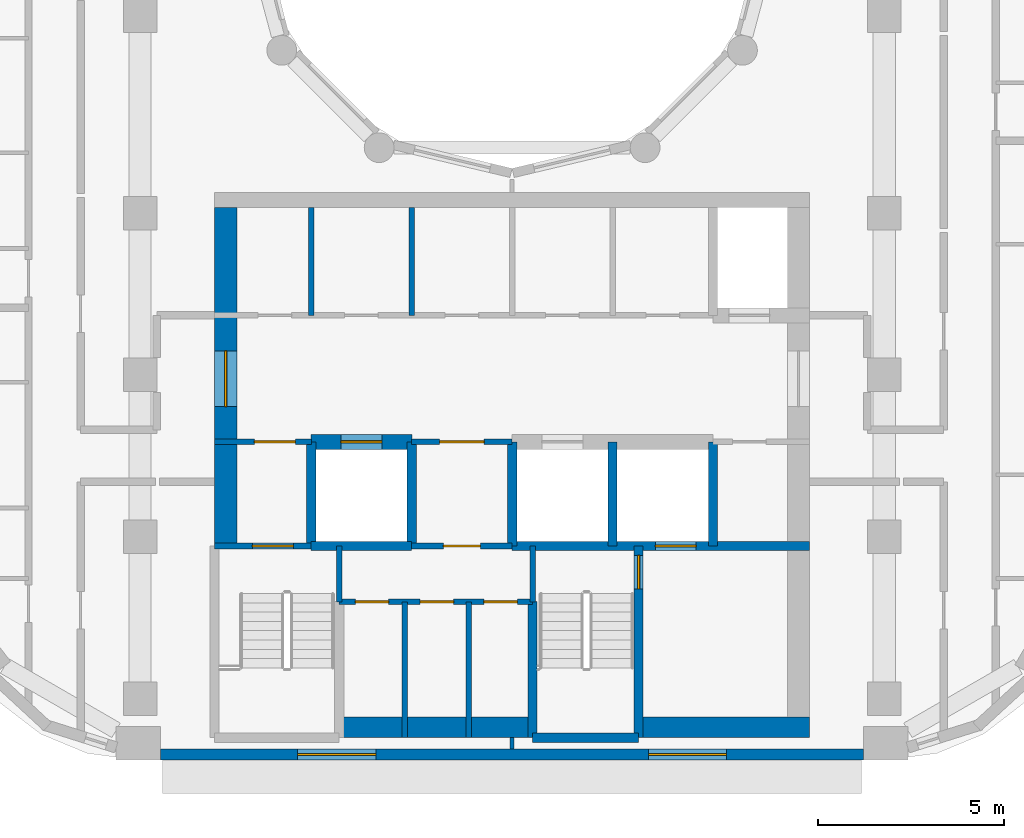
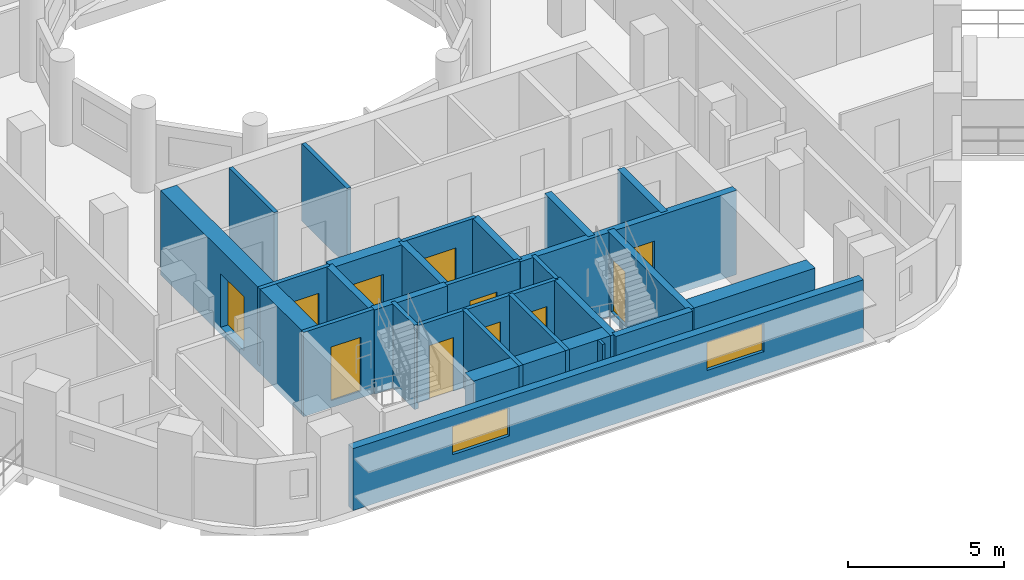
# One storey, part 3 of 17: 27 walls, 11 doors, 2 windows, 13 openings.
"""IFC4 building model written with IfcOpenShell, lengths in metres."""

from ifc_helpers import new_model, si_unit, direction, frame, frame_2d, origin, place, context, subcontext, project, spatial, rectangle, extrude, material, layer, layer_set, type_object, element, fill, save


model = new_model("IFC4")

# Units and contexts
model_context = context("Model", 3, precision=1e-05, world=origin(), true_north=direction((0.0, 1.0)))
body_context = subcontext(model_context, "Body", "Model", "MODEL_VIEW")
ifc_project = project(units=[si_unit("LENGTHUNIT", "METRE"), si_unit("AREAUNIT", "SQUARE_METRE"), si_unit("VOLUMEUNIT", "CUBIC_METRE"), si_unit("PLANEANGLEUNIT", "RADIAN"), si_unit("MASSUNIT", "GRAM", prefix="KILO")], contexts=[model_context])

# Site, building, storey
site_placement = place(None, origin())
site = spatial("IfcSite", under=ifc_project, at=site_placement, CompositionType="ELEMENT")
building_placement = place(site_placement, origin())
building = spatial("IfcBuilding", under=site, at=building_placement, Name="Nakaniwa Court", CompositionType="ELEMENT")
storey_placement = place(building_placement, frame((0.0, 0.0, 206.39990234375)))
storey = spatial("IfcBuildingStorey", under=building, at=storey_placement, Name="L54", CompositionType="ELEMENT", Elevation=206.39990234375)

# Wall, openings, windows
ifc_material_1 = material(Name="Charcoal ceramic cladding")
ifc_layer_1 = layer(ifc_material_1, 0.02, Name="Ceramic cladding")
ifc_material_2 = material(Name="Ventilated air cavity")
ifc_layer_2 = layer(ifc_material_2, 0.04, ventilated=True, Name="Ventilated cavity")
ifc_material_3 = material(Name="Mineral wool insulation")
ifc_layer_3 = layer(ifc_material_3, 0.1, Name="Insulation")
ifc_material_4 = material(Name="Cement bonded sheathing board")
ifc_layer_4 = layer(ifc_material_4, 0.012, Name="Sheathing")
ifc_material_5 = material(Name="Cold-formed galvanised stud frame with mineral wool infill")
ifc_layer_5 = layer(ifc_material_5, 0.1, Name="Stud frame")
ifc_material_6 = material(Name="Fire-rated gypsum plasterboard lining")
ifc_layer_6 = layer(ifc_material_6, 0.028, Name="Lining")
ifc_layer_set_1 = layer_set([ifc_layer_1, ifc_layer_2, ifc_layer_3, ifc_layer_4, ifc_layer_5, ifc_layer_6], Name="Charcoal ceramic faced external wall system")
wall_type_1 = type_object("IfcWallType", Name="Black ceramic faced external wall 300", PredefinedType="SOLIDWALL", material=ifc_layer_set_1)
wall_1_placement = place(storey_placement, frame((70.55078125, 57.5, 0.0), z_axis=(0.0, 0.0, 1.0), x_axis=(1.0, 0.0, 0.0)))
wall_1 = element("IfcWall", 1, at=wall_1_placement, inside=storey, type_object=wall_type_1, Name="L54 external wall 26", PredefinedType="SOLIDWALL", context=body_context, shape_type="SweptSolid", body=[
    extrude(rectangle(XDim=18.892822265625, YDim=0.300048828125, at=frame_2d((9.4462890625, 0.0))), origin(), (0.0, 0.0, 1.0), 2.425048828125),
])
opening_1_placement = place(wall_1_placement, frame((3.6865234375, 0.0, 0.89990234375)))
opening_1 = element("IfcOpeningElement", 2, at=opening_1_placement, cuts=wall_1, Name="Opening W7.26", PredefinedType="OPENING", context=body_context, shape_type="SweptSolid", body=[
    extrude(rectangle(XDim=2.10009765625, YDim=1.10009765625, at=frame_2d((1.050048828125, 0.550048828125))), frame((0.0, 0.159912109375, 0.0), z_axis=(0.0, -1.0, 0.0), x_axis=(1.0, 0.0, 0.0)), (0.0, 0.0, 1.0), 0.320068359375),
])
opening_2_placement = place(wall_1_placement, frame((13.10888671875, 0.0, 0.89990234375)))
opening_2 = element("IfcOpeningElement", 3, at=opening_2_placement, cuts=wall_1, Name="Opening W7.27", PredefinedType="OPENING", context=body_context, shape_type="SweptSolid", body=[
    extrude(rectangle(XDim=2.10009765625, YDim=1.10009765625, at=frame_2d((1.050048828125, 0.550048828125))), frame((0.0, 0.159912109375, 0.0), z_axis=(0.0, -1.0, 0.0), x_axis=(1.0, 0.0, 0.0)), (0.0, 0.0, 1.0), 0.320068359375),
])
ifc_material_7 = material(Name="Black anodised aluminium frame with dark low-E laminated double glazing", Category="aluminium")
window_type = type_object("IfcWindowType", Name="Dark glass window 2100x1100 sill 900", PartitioningType="SINGLE_PANEL", PredefinedType="WINDOW", material=ifc_material_7)
window_1_placement = place(opening_1_placement, origin())
window_1 = element("IfcWindow", 4, at=window_1_placement, inside=storey, type_object=window_type, Name="L54 habitable room window 26-0", OverallHeight=1.10009765625, OverallWidth=2.10009765625, PartitioningType="SINGLE_PANEL", PredefinedType="WINDOW", context=body_context, shape_type="SweptSolid", body=[
    extrude(rectangle(XDim=2.10009765625, YDim=1.10009765625, at=frame_2d((1.050048828125, 0.550048828125))), frame((0.0, 0.030029296875, 0.0), z_axis=(0.0, -1.0, 0.0), x_axis=(1.0, 0.0, 0.0)), (0.0, 0.0, 1.0), 0.06005859375),
])
fill(opening_1, window_1)
window_2_placement = place(opening_2_placement, origin())
window_2 = element("IfcWindow", 5, at=window_2_placement, inside=storey, type_object=window_type, Name="L54 habitable room window 26-1", OverallHeight=1.10009765625, OverallWidth=2.10009765625, PartitioningType="SINGLE_PANEL", PredefinedType="WINDOW", context=body_context, shape_type="SweptSolid", body=[
    extrude(rectangle(XDim=2.10009765625, YDim=1.10009765625, at=frame_2d((1.050048828125, 0.550048828125))), frame((0.0, 0.030029296875, 0.0), z_axis=(0.0, -1.0, 0.0), x_axis=(1.0, 0.0, 0.0)), (0.0, 0.0, 1.0), 0.06005859375),
])
fill(opening_2, window_2)

# Walls
ifc_material_8 = material(Name="Blockwork partition", Category="masonry")
ifc_layer_7 = layer(ifc_material_8, 0.14990234375)
ifc_layer_set_2 = layer_set([ifc_layer_7], Name="Blockwork partition")
wall_type_2 = type_object("IfcWallType", Name="Blockwork partition 150", PredefinedType="PARTITIONING", material=ifc_layer_set_2)
for number, where, z_axis, x_axis, name in (
    (6, (74.60009765625, 69.300048828125, 0.0), (0.0, 0.0, 1.0), (0.0, 1.0, 0.0), "Partition PW-037"),
    (7, (77.300048828125, 69.300048828125, 0.0), (0.0, 0.0, 1.0), (0.0, 1.0, 0.0), "Partition PW-044"),
):
    element("IfcWall", number, at=place(storey_placement, frame(where, z_axis=z_axis, x_axis=x_axis)), inside=storey, type_object=wall_type_2, Name=name, PredefinedType="PARTITIONING", context=body_context, shape_type="SweptSolid", body=[
        extrude(rectangle(XDim=2.89990234375, YDim=0.14990234375, at=frame_2d((1.449951171875, 0.0))), origin(), (0.0, 0.0, 1.0), 3.025146484375),
    ])

# Wall, opening, door
wall_2_placement = place(storey_placement, frame((74.60302734375, 65.89990234375, 0.0), z_axis=(0.0, 0.0, 1.0), x_axis=(-1.0, 0.0, 0.0)))
wall_2 = element("IfcWall", 8, at=wall_2_placement, inside=storey, type_object=wall_type_2, Name="Partition PW-047", PredefinedType="PARTITIONING", context=body_context, shape_type="SweptSolid", body=[
    extrude(rectangle(XDim=2.60302734375, YDim=0.14990234375, at=frame_2d((1.301513671875, 0.0))), origin(), (0.0, 0.0, 1.0), 3.025146484375),
])
opening_3_placement = place(wall_2_placement, frame((0.427978515625, 0.0, 0.0)))
opening_3 = element("IfcOpeningElement", 9, at=opening_3_placement, cuts=wall_2, Name="Opening D-08-02", PredefinedType="OPENING", context=body_context, shape_type="SweptSolid", body=[
    extrude(rectangle(XDim=1.10009765625, YDim=2.10009765625, at=frame_2d((0.550048828125, 1.050048828125))), frame((0.0, 0.0849609375, 0.0), z_axis=(0.0, -1.0, 0.0), x_axis=(1.0, 0.0, 0.0)), (0.0, 0.0, 1.0), 0.169921875),
])
ifc_material_9 = material(Name="Fire rated steel door set", Category="steel")
door_type_1 = type_object("IfcDoorType", Name="Stair lobby door 1100", OperationType="NOTDEFINED", PredefinedType="DOOR", material=ifc_material_9)
door_1_placement = place(opening_3_placement, origin())
door_1 = element("IfcDoor", 10, at=door_1_placement, inside=storey, type_object=door_type_1, Name="Door D-08-02 L54-020", OperationType="SINGLE_SWING_LEFT", OverallHeight=2.10009765625, OverallWidth=1.10009765625, PredefinedType="DOOR", context=body_context, shape_type="SweptSolid", body=[
    extrude(rectangle(XDim=1.10009765625, YDim=2.10009765625, at=frame_2d((0.550048828125, 1.050048828125))), frame((0.0, 0.02490234375, 0.0), z_axis=(0.0, -1.0, 0.0), x_axis=(1.0, 0.0, 0.0)), (0.0, 0.0, 1.0), 0.050048828125),
])
fill(opening_3, door_1)

wall_3_placement = place(storey_placement, frame((80.0029296875, 65.89990234375, 0.0), z_axis=(0.0, 0.0, 1.0), x_axis=(-1.0, 0.0, 0.0)))
wall_3 = element("IfcWall", 11, at=wall_3_placement, inside=storey, type_object=wall_type_2, Name="Partition PW-048", PredefinedType="PARTITIONING", context=body_context, shape_type="SweptSolid", body=[
    extrude(rectangle(XDim=2.705810546875, YDim=0.14990234375, at=frame_2d((1.35302734375, 0.0))), origin(), (0.0, 0.0, 1.0), 3.025146484375),
])
opening_4_placement = place(wall_3_placement, frame((0.7529296875, 0.0, 0.0)))
opening_4 = element("IfcOpeningElement", 12, at=opening_4_placement, cuts=wall_3, Name="Opening D-06-02", PredefinedType="OPENING", context=body_context, shape_type="SweptSolid", body=[
    extrude(rectangle(XDim=1.199951171875, YDim=2.10009765625, at=frame_2d((0.60009765625, 1.050048828125))), frame((0.0, 0.0849609375, 0.0), z_axis=(0.0, -1.0, 0.0), x_axis=(1.0, 0.0, 0.0)), (0.0, 0.0, 1.0), 0.169921875),
])
ifc_material_10 = material(Name="Fire rated steel double door set", Category="steel")
door_type_2 = type_object("IfcDoorType", Name="Service passage double door 1200", OperationType="NOTDEFINED", PredefinedType="DOOR", material=ifc_material_10)
door_2_placement = place(opening_4_placement, origin())
door_2 = element("IfcDoor", 13, at=door_2_placement, inside=storey, type_object=door_type_2, Name="Door D-06-02 L54-021", OperationType="DOUBLE_DOOR_SINGLE_SWING", OverallHeight=2.10009765625, OverallWidth=1.199951171875, PredefinedType="DOOR", context=body_context, shape_type="SweptSolid", body=[
    extrude(rectangle(XDim=1.199951171875, YDim=2.10009765625, at=frame_2d((0.60009765625, 1.050048828125))), frame((0.0, 0.02490234375, 0.0), z_axis=(0.0, -1.0, 0.0), x_axis=(1.0, 0.0, 0.0)), (0.0, 0.0, 1.0), 0.050048828125),
])
fill(opening_4, door_2)

wall_4_placement = place(storey_placement, frame((80.0, 63.10009765625, 0.0), z_axis=(0.0, 0.0, 1.0), x_axis=(-1.0, 0.0, 0.0)))
wall_4 = element("IfcWall", 14, at=wall_4_placement, inside=storey, type_object=wall_type_2, Name="Partition PW-058", PredefinedType="PARTITIONING", context=body_context, shape_type="SweptSolid", body=[
    extrude(rectangle(XDim=2.699951171875, YDim=0.14990234375, at=frame_2d((1.35009765625, 0.0))), origin(), (0.0, 0.0, 1.0), 3.025146484375),
])
opening_5_placement = place(wall_4_placement, frame((0.85009765625, 0.0, 0.0)))
opening_5 = element("IfcOpeningElement", 15, at=opening_5_placement, cuts=wall_4, Name="Opening D-23-02", PredefinedType="OPENING", context=body_context, shape_type="SweptSolid", body=[
    extrude(rectangle(XDim=1.0, YDim=2.10009765625, at=frame_2d((0.5, 1.050048828125))), frame((0.0, 0.0849609375, 0.0), z_axis=(0.0, -1.0, 0.0), x_axis=(1.0, 0.0, 0.0)), (0.0, 0.0, 1.0), 0.169921875),
])
door_type_3 = type_object("IfcDoorType", Name="Service room door 1000", OperationType="NOTDEFINED", PredefinedType="DOOR", material=ifc_material_9)
door_3_placement = place(opening_5_placement, origin())
door_3 = element("IfcDoor", 16, at=door_3_placement, inside=storey, type_object=door_type_3, Name="Door D-23-02 L54-023", OperationType="SINGLE_SWING_RIGHT", OverallHeight=2.10009765625, OverallWidth=1.0, PredefinedType="DOOR", context=body_context, shape_type="SweptSolid", body=[
    extrude(rectangle(XDim=1.0, YDim=2.10009765625, at=frame_2d((0.5, 1.050048828125))), frame((0.0, 0.02490234375, 0.0), z_axis=(0.0, -1.0, 0.0), x_axis=(1.0, 0.0, 0.0)), (0.0, 0.0, 1.0), 0.050048828125),
])
fill(opening_5, door_3)

# Wall, openings, doors
wall_5_placement = place(storey_placement, frame((80.550048828125, 61.60009765625, 0.0), z_axis=(0.0, 0.0, 1.0), x_axis=(-1.0, 0.0, 0.0)))
wall_5 = element("IfcWall", 17, at=wall_5_placement, inside=storey, type_object=wall_type_2, Name="Partition PW-070", PredefinedType="PARTITIONING", context=body_context, shape_type="SweptSolid", body=[
    extrude(rectangle(XDim=5.199951171875, YDim=0.14990234375, at=frame_2d((2.60009765625, 0.0))), origin(), (0.0, 0.0, 1.0), 3.025146484375),
])
opening_6_placement = place(wall_5_placement, frame((3.865966796875, 0.0, 0.0)))
opening_6 = element("IfcOpeningElement", 18, at=opening_6_placement, cuts=wall_5, Name="Opening D-05-16", PredefinedType="OPENING", context=body_context, shape_type="SweptSolid", body=[
    extrude(rectangle(XDim=0.89990234375, YDim=2.10009765625, at=frame_2d((0.449951171875, 1.050048828125))), frame((0.0, 0.0849609375, 0.0), z_axis=(0.0, -1.0, 0.0), x_axis=(1.0, 0.0, 0.0)), (0.0, 0.0, 1.0), 0.169921875),
])
opening_7_placement = place(wall_5_placement, frame((2.1240234375, 0.0, 0.0)))
opening_7 = element("IfcOpeningElement", 19, at=opening_7_placement, cuts=wall_5, Name="Opening D-05-17", PredefinedType="OPENING", context=body_context, shape_type="SweptSolid", body=[
    extrude(rectangle(XDim=0.89990234375, YDim=2.10009765625, at=frame_2d((0.449951171875, 1.050048828125))), frame((0.0, 0.0849609375, 0.0), z_axis=(0.0, -1.0, 0.0), x_axis=(1.0, 0.0, 0.0)), (0.0, 0.0, 1.0), 0.169921875),
])
opening_8_placement = place(wall_5_placement, frame((0.407958984375, 0.0, 0.0)))
opening_8 = element("IfcOpeningElement", 20, at=opening_8_placement, cuts=wall_5, Name="Opening D-05-18", PredefinedType="OPENING", context=body_context, shape_type="SweptSolid", body=[
    extrude(rectangle(XDim=0.89990234375, YDim=2.10009765625, at=frame_2d((0.449951171875, 1.050048828125))), frame((0.0, 0.0849609375, 0.0), z_axis=(0.0, -1.0, 0.0), x_axis=(1.0, 0.0, 0.0)), (0.0, 0.0, 1.0), 0.169921875),
])
door_type_4 = type_object("IfcDoorType", Name="Service room door 900", OperationType="NOTDEFINED", PredefinedType="DOOR", material=ifc_material_9)
door_4_placement = place(opening_6_placement, origin())
door_4 = element("IfcDoor", 21, at=door_4_placement, inside=storey, type_object=door_type_4, Name="Door D-05-16 L54-024", OperationType="SINGLE_SWING_LEFT", OverallHeight=2.10009765625, OverallWidth=0.89990234375, PredefinedType="DOOR", context=body_context, shape_type="SweptSolid", body=[
    extrude(rectangle(XDim=0.89990234375, YDim=2.10009765625, at=frame_2d((0.449951171875, 1.050048828125))), frame((0.0, 0.02490234375, 0.0), z_axis=(0.0, -1.0, 0.0), x_axis=(1.0, 0.0, 0.0)), (0.0, 0.0, 1.0), 0.050048828125),
])
fill(opening_6, door_4)
door_5_placement = place(opening_7_placement, origin())
door_5 = element("IfcDoor", 22, at=door_5_placement, inside=storey, type_object=door_type_4, Name="Door D-05-17 L54-025", OperationType="SINGLE_SWING_RIGHT", OverallHeight=2.10009765625, OverallWidth=0.89990234375, PredefinedType="DOOR", context=body_context, shape_type="SweptSolid", body=[
    extrude(rectangle(XDim=0.89990234375, YDim=2.10009765625, at=frame_2d((0.449951171875, 1.050048828125))), frame((0.0, 0.02490234375, 0.0), z_axis=(0.0, -1.0, 0.0), x_axis=(1.0, 0.0, 0.0)), (0.0, 0.0, 1.0), 0.050048828125),
])
fill(opening_7, door_5)
door_6_placement = place(opening_8_placement, origin())
door_6 = element("IfcDoor", 23, at=door_6_placement, inside=storey, type_object=door_type_4, Name="Door D-05-18 L54-026", OperationType="SINGLE_SWING_LEFT", OverallHeight=2.10009765625, OverallWidth=0.89990234375, PredefinedType="DOOR", context=body_context, shape_type="SweptSolid", body=[
    extrude(rectangle(XDim=0.89990234375, YDim=2.10009765625, at=frame_2d((0.449951171875, 1.050048828125))), frame((0.0, 0.02490234375, 0.0), z_axis=(0.0, -1.0, 0.0), x_axis=(1.0, 0.0, 0.0)), (0.0, 0.0, 1.0), 0.050048828125),
])
fill(opening_8, door_6)

# Walls
for number, where, z_axis, x_axis, name in (
    (24, (77.117919921875, 57.949951171875, 0.0), (0.0, 0.0, 1.0), (0.0, 1.0, 0.0), "Partition PW-071"),
    (25, (78.833984375, 57.949951171875, 0.0), (0.0, 0.0, 1.0), (0.0, 1.0, 0.0), "Partition PW-072"),
):
    element("IfcWall", number, at=place(storey_placement, frame(where, z_axis=z_axis, x_axis=x_axis)), inside=storey, type_object=wall_type_2, Name=name, PredefinedType="PARTITIONING", context=body_context, shape_type="SweptSolid", body=[
        extrude(rectangle(XDim=3.650146484375, YDim=0.14990234375, at=frame_2d((1.8251953125, 0.0))), origin(), (0.0, 0.0, 1.0), 3.025146484375),
    ])

# Wall, opening, door
ifc_material_11 = material(Name="Concrete C80/100", Category="concrete")
ifc_layer_8 = layer(ifc_material_11, 0.60009765625)
ifc_layer_set_3 = layer_set([ifc_layer_8], Name="Concrete C80/100")
wall_type_3 = type_object("IfcWallType", Name="Concrete core side wall 600 C80", PredefinedType="SHEAR", material=ifc_layer_set_3)
wall_6_placement = place(storey_placement, frame((72.300048828125, 63.10009765625, -0.27490234375), z_axis=(0.0, 0.0, 1.0), x_axis=(0.0, 1.0, 0.0)))
wall_6 = element("IfcWall", 26, at=wall_6_placement, inside=storey, type_object=wall_type_3, Name="Core wall SW-39", PredefinedType="SHEAR", context=body_context, shape_type="SweptSolid", body=[
    extrude(rectangle(XDim=9.099853515625, YDim=0.60009765625, at=frame_2d((4.5498046875, 0.0))), origin(), (0.0, 0.0, 1.0), 3.300048828125),
])
opening_9_placement = place(wall_6_placement, frame((3.748046875, 0.0, 0.27490234375)))
opening_9 = element("IfcOpeningElement", 27, at=opening_9_placement, cuts=wall_6, Name="Opening D-07-04", PredefinedType="OPENING", context=body_context, shape_type="SweptSolid", body=[
    extrude(rectangle(XDim=1.5, YDim=2.10009765625, at=frame_2d((0.75, 1.050048828125))), frame((0.0, 0.31005859375, 0.0), z_axis=(0.0, -1.0, 0.0), x_axis=(1.0, 0.0, 0.0)), (0.0, 0.0, 1.0), 0.6201171875),
])
ifc_material_12 = material(Name="Glazed fire rated steel double door set", Category="steel")
door_type_5 = type_object("IfcDoorType", Name="Lobby double door 1500", OperationType="NOTDEFINED", PredefinedType="DOOR", material=ifc_material_12)
door_7_placement = place(opening_9_placement, origin())
door_7 = element("IfcDoor", 28, at=door_7_placement, inside=storey, type_object=door_type_5, Name="Door D-07-04 L54-064", OperationType="DOUBLE_DOOR_SINGLE_SWING", OverallHeight=2.10009765625, OverallWidth=1.5, PredefinedType="DOOR", context=body_context, shape_type="SweptSolid", body=[
    extrude(rectangle(XDim=1.5, YDim=2.10009765625, at=frame_2d((0.75, 1.050048828125))), frame((0.0, 0.02490234375, 0.0), z_axis=(0.0, -1.0, 0.0), x_axis=(1.0, 0.0, 0.0)), (0.0, 0.0, 1.0), 0.050048828125),
])
fill(opening_9, door_7)

ifc_layer_9 = layer(ifc_material_11, 0.39990234375)
ifc_layer_set_4 = layer_set([ifc_layer_9], Name="Concrete C80/100")
wall_type_4 = type_object("IfcWallType", Name="Concrete core spine wall 400 C80", PredefinedType="SHEAR", material=ifc_layer_set_4)
wall_7_placement = place(storey_placement, frame((74.596923828125, 65.89990234375, -0.27490234375), z_axis=(0.0, 0.0, 1.0), x_axis=(1.0, 0.0, 0.0)))
wall_7 = element("IfcWall", 29, at=wall_7_placement, inside=storey, type_object=wall_type_4, Name="Core wall SW-50", PredefinedType="SHEAR", context=body_context, shape_type="SweptSolid", body=[
    extrude(rectangle(XDim=2.7060546875, YDim=0.39990234375, at=frame_2d((1.35302734375, 0.0))), origin(), (0.0, 0.0, 1.0), 3.300048828125),
])
opening_10_placement = place(wall_7_placement, frame((0.802978515625, 0.0, 0.27490234375)))
opening_10 = element("IfcOpeningElement", 30, at=opening_10_placement, cuts=wall_7, Name="Opening LD06", PredefinedType="OPENING", context=body_context, shape_type="SweptSolid", body=[
    extrude(rectangle(XDim=1.10009765625, YDim=2.10009765625, at=frame_2d((0.550048828125, 1.050048828125))), frame((0.0, 0.2099609375, 0.0), z_axis=(0.0, -1.0, 0.0), x_axis=(1.0, 0.0, 0.0)), (0.0, 0.0, 1.0), 0.419921875),
])
ifc_material_13 = material(Name="Stainless steel sliding lift landing door", Category="steel")
door_type_6 = type_object("IfcDoorType", Name="Lift landing door 1100", OperationType="NOTDEFINED", PredefinedType="DOOR", material=ifc_material_13)
door_8_placement = place(opening_10_placement, origin())
door_8 = element("IfcDoor", 31, at=door_8_placement, inside=storey, type_object=door_type_6, Name="Lift landing door LD06 L54-006", OperationType="SLIDING_TO_LEFT", OverallHeight=2.10009765625, OverallWidth=1.10009765625, PredefinedType="DOOR", context=body_context, shape_type="SweptSolid", body=[
    extrude(rectangle(XDim=1.10009765625, YDim=2.10009765625, at=frame_2d((0.550048828125, 1.050048828125))), frame((0.0, 0.02490234375, 0.0), z_axis=(0.0, -1.0, 0.0), x_axis=(1.0, 0.0, 0.0)), (0.0, 0.0, 1.0), 0.050048828125),
])
fill(opening_10, door_8)

ifc_layer_10 = layer(ifc_material_11, 0.14990234375)
ifc_layer_set_5 = layer_set([ifc_layer_10], Name="Concrete C80/100")
wall_type_5 = type_object("IfcWallType", Name="Concrete core wall 150 C80", PredefinedType="SHEAR", material=ifc_layer_set_5)
wall_8_placement = place(storey_placement, frame((72.0, 63.10009765625, -0.27490234375), z_axis=(0.0, 0.0, 1.0), x_axis=(1.0, 0.0, 0.0)))
wall_8 = element("IfcWall", 32, at=wall_8_placement, inside=storey, type_object=wall_type_5, Name="Core wall SW-53", PredefinedType="SHEAR", context=body_context, shape_type="SweptSolid", body=[
    extrude(rectangle(XDim=2.60009765625, YDim=0.14990234375, at=frame_2d((1.300048828125, 0.0))), origin(), (0.0, 0.0, 1.0), 3.300048828125),
])
opening_11_placement = place(wall_8_placement, frame((1.02001953125, 0.0, 0.27490234375)))
opening_11 = element("IfcOpeningElement", 33, at=opening_11_placement, cuts=wall_8, Name="Opening D-09-02", PredefinedType="OPENING", context=body_context, shape_type="SweptSolid", body=[
    extrude(rectangle(XDim=1.10009765625, YDim=2.10009765625, at=frame_2d((0.550048828125, 1.050048828125))), frame((0.0, 0.0849609375, 0.0), z_axis=(0.0, -1.0, 0.0), x_axis=(1.0, 0.0, 0.0)), (0.0, 0.0, 1.0), 0.169921875),
])
door_type_7 = type_object("IfcDoorType", Name="Stair door 1100", OperationType="NOTDEFINED", PredefinedType="DOOR", material=ifc_material_9)
door_9_placement = place(opening_11_placement, origin())
door_9 = element("IfcDoor", 34, at=door_9_placement, inside=storey, type_object=door_type_7, Name="Door D-09-02 L54-027", OperationType="SINGLE_SWING_LEFT", OverallHeight=2.10009765625, OverallWidth=1.10009765625, PredefinedType="DOOR", context=body_context, shape_type="SweptSolid", body=[
    extrude(rectangle(XDim=1.10009765625, YDim=2.10009765625, at=frame_2d((0.550048828125, 1.050048828125))), frame((0.0, 0.02490234375, 0.0), z_axis=(0.0, -1.0, 0.0), x_axis=(1.0, 0.0, 0.0)), (0.0, 0.0, 1.0), 0.050048828125),
])
fill(opening_11, door_9)

# Walls
for number, where, z_axis, x_axis, name in (
    (35, (75.35009765625, 61.596923828125, -0.27490234375), (0.0, 0.0, 1.0), (0.0, 1.0, 0.0), "Core wall SW-60"),
    (36, (80.550048828125, 61.596923828125, -0.27490234375), (0.0, 0.0, 1.0), (0.0, 1.0, 0.0), "Core wall SW-66"),
):
    element("IfcWall", number, at=place(storey_placement, frame(where, z_axis=z_axis, x_axis=x_axis)), inside=storey, type_object=wall_type_5, Name=name, PredefinedType="SHEAR", context=body_context, shape_type="SweptSolid", body=[
        extrude(rectangle(XDim=1.503173828125, YDim=0.14990234375, at=frame_2d((0.75146484375, 0.0))), origin(), (0.0, 0.0, 1.0), 3.300048828125),
    ])
ifc_layer_11 = layer(ifc_material_11, 0.25)
ifc_layer_set_6 = layer_set([ifc_layer_11], Name="Concrete C80/100")
wall_type_6 = type_object("IfcWallType", Name="Concrete core wall 250 C80", PredefinedType="SHEAR", material=ifc_layer_set_6)
wall_9_placement = place(storey_placement, frame((80.550048828125, 57.949951171875, -0.27490234375), z_axis=(0.0, 0.0, 1.0), x_axis=(1.0, 0.0, 0.0)))
element("IfcWall", 37, at=wall_9_placement, inside=storey, type_object=wall_type_6, Name="Core wall SW-64", PredefinedType="SHEAR", context=body_context, shape_type="SweptSolid", body=[
    extrude(rectangle(XDim=2.849853515625, YDim=0.25, at=frame_2d((1.4248046875, 0.0))), origin(), (0.0, 0.0, 1.0), 3.300048828125),
])
ifc_layer_12 = layer(ifc_material_11, 0.550048828125)
ifc_layer_set_7 = layer_set([ifc_layer_12], Name="Concrete C80/100")
wall_type_7 = type_object("IfcWallType", Name="Concrete core wall 550 C80", PredefinedType="SHEAR", material=ifc_layer_set_7)
wall_10_placement = place(storey_placement, frame((75.35009765625, 58.22509765625, -0.27490234375), z_axis=(0.0, 0.0, 1.0), x_axis=(1.0, 0.0, 0.0)))
element("IfcWall", 38, at=wall_10_placement, inside=storey, type_object=wall_type_7, Name="Core wall SW-68", PredefinedType="SHEAR", context=body_context, shape_type="SweptSolid", body=[
    extrude(rectangle(XDim=5.199951171875, YDim=0.550048828125, at=frame_2d((2.60009765625, 0.0))), origin(), (0.0, 0.0, 1.0), 3.300048828125),
])
wall_11_placement = place(storey_placement, frame((83.39990234375, 58.22509765625, -0.27490234375), z_axis=(0.0, 0.0, 1.0), x_axis=(1.0, 0.0, 0.0)))
element("IfcWall", 39, at=wall_11_placement, inside=storey, type_object=wall_type_7, Name="Core wall SW-69", PredefinedType="SHEAR", context=body_context, shape_type="SweptSolid", body=[
    extrude(rectangle(XDim=4.60009765625, YDim=0.550048828125, at=frame_2d((2.300048828125, 0.0))), origin(), (0.0, 0.0, 1.0), 3.300048828125),
])
ifc_layer_13 = layer(ifc_material_11, 0.25)
ifc_layer_set_8 = layer_set([ifc_layer_13], Name="Concrete C80/100")
wall_type_8 = type_object("IfcWallType", Name="Concrete shaft wall 250 C80", PredefinedType="SHEAR", material=ifc_layer_set_8)
for number, where, z_axis, x_axis, name in (
    (40, (85.39990234375, 63.10009765625, -0.27490234375), (0.0, 0.0, 1.0), (0.0, 1.0, 0.0), "Core wall SW-40"),
    (41, (74.60009765625, 63.10009765625, -0.27490234375), (0.0, 0.0, 1.0), (0.0, 1.0, 0.0), "Core wall SW-52"),
    (42, (77.300048828125, 63.10009765625, -0.27490234375), (0.0, 0.0, 1.0), (0.0, 1.0, 0.0), "Core wall SW-54"),
):
    element("IfcWall", number, at=place(storey_placement, frame(where, z_axis=z_axis, x_axis=x_axis)), inside=storey, type_object=wall_type_8, Name=name, PredefinedType="SHEAR", context=body_context, shape_type="SweptSolid", body=[
        extrude(rectangle(XDim=2.7998046875, YDim=0.25, at=frame_2d((1.39990234375, 0.0))), origin(), (0.0, 0.0, 1.0), 3.300048828125),
    ])
wall_12_placement = place(storey_placement, frame((74.60009765625, 63.10009765625, -0.27490234375), z_axis=(0.0, 0.0, 1.0), x_axis=(1.0, 0.0, 0.0)))
element("IfcWall", 43, at=wall_12_placement, inside=storey, type_object=wall_type_8, Name="Core wall SW-55", PredefinedType="SHEAR", context=body_context, shape_type="SweptSolid", body=[
    extrude(rectangle(XDim=2.699951171875, YDim=0.25, at=frame_2d((1.35009765625, 0.0))), origin(), (0.0, 0.0, 1.0), 3.300048828125),
])

# Wall, opening, door
wall_13_placement = place(storey_placement, frame((80.0, 63.10009765625, -0.27490234375), z_axis=(0.0, 0.0, 1.0), x_axis=(1.0, 0.0, 0.0)))
wall_13 = element("IfcWall", 44, at=wall_13_placement, inside=storey, type_object=wall_type_8, Name="Core wall SW-56", PredefinedType="SHEAR", context=body_context, shape_type="SweptSolid", body=[
    extrude(rectangle(XDim=8.0, YDim=0.25, at=frame_2d((4.0, 0.0))), origin(), (0.0, 0.0, 1.0), 3.300048828125),
])
opening_12_placement = place(wall_13_placement, frame((3.84912109375, 0.0, 0.27490234375)))
opening_12 = element("IfcOpeningElement", 45, at=opening_12_placement, cuts=wall_13, Name="Opening LD08", PredefinedType="OPENING", context=body_context, shape_type="SweptSolid", body=[
    extrude(rectangle(XDim=1.10009765625, YDim=2.10009765625, at=frame_2d((0.550048828125, 1.050048828125))), frame((0.0, 0.135009765625, 0.0), z_axis=(0.0, -1.0, 0.0), x_axis=(1.0, 0.0, 0.0)), (0.0, 0.0, 1.0), 0.27001953125),
])
door_10_placement = place(opening_12_placement, origin())
door_10 = element("IfcDoor", 46, at=door_10_placement, inside=storey, type_object=door_type_6, Name="Lift landing door LD08 L54-008", OperationType="SLIDING_TO_LEFT", OverallHeight=2.10009765625, OverallWidth=1.10009765625, PredefinedType="DOOR", context=body_context, shape_type="SweptSolid", body=[
    extrude(rectangle(XDim=1.10009765625, YDim=2.10009765625, at=frame_2d((0.550048828125, 1.050048828125))), frame((0.0, 0.02490234375, 0.0), z_axis=(0.0, -1.0, 0.0), x_axis=(1.0, 0.0, 0.0)), (0.0, 0.0, 1.0), 0.050048828125),
])
fill(opening_12, door_10)

# Walls
for number, where, z_axis, x_axis, name in (
    (47, (80.0, 63.10009765625, -0.27490234375), (0.0, 0.0, 1.0), (0.0, 1.0, 0.0), "Core wall SW-57"),
    (48, (82.699951171875, 63.10009765625, -0.27490234375), (0.0, 0.0, 1.0), (0.0, 1.0, 0.0), "Core wall SW-59"),
):
    element("IfcWall", number, at=place(storey_placement, frame(where, z_axis=z_axis, x_axis=x_axis)), inside=storey, type_object=wall_type_8, Name=name, PredefinedType="SHEAR", context=body_context, shape_type="SweptSolid", body=[
        extrude(rectangle(XDim=2.7998046875, YDim=0.25, at=frame_2d((1.39990234375, 0.0))), origin(), (0.0, 0.0, 1.0), 3.300048828125),
    ])

# Wall, opening, door
wall_14_placement = place(storey_placement, frame((83.39990234375, 63.10009765625, -0.27490234375), z_axis=(0.0, 0.0, 1.0), x_axis=(0.0, -1.0, 0.0)))
wall_14 = element("IfcWall", 49, at=wall_14_placement, inside=storey, type_object=wall_type_8, Name="Core wall SW-65", PredefinedType="SHEAR", context=body_context, shape_type="SweptSolid", body=[
    extrude(rectangle(XDim=5.150146484375, YDim=0.25, at=frame_2d((2.5751953125, 0.0))), origin(), (0.0, 0.0, 1.0), 3.300048828125),
])
opening_13_placement = place(wall_14_placement, frame((0.25, 0.0, 0.27490234375)))
opening_13 = element("IfcOpeningElement", 50, at=opening_13_placement, cuts=wall_14, Name="Opening D-11-02", PredefinedType="OPENING", context=body_context, shape_type="SweptSolid", body=[
    extrude(rectangle(XDim=0.89990234375, YDim=2.10009765625, at=frame_2d((0.449951171875, 1.050048828125))), frame((0.0, 0.135009765625, 0.0), z_axis=(0.0, -1.0, 0.0), x_axis=(1.0, 0.0, 0.0)), (0.0, 0.0, 1.0), 0.27001953125),
])
door_type_8 = type_object("IfcDoorType", Name="Stair door 900", OperationType="NOTDEFINED", PredefinedType="DOOR", material=ifc_material_9)
door_11_placement = place(opening_13_placement, origin())
door_11 = element("IfcDoor", 51, at=door_11_placement, inside=storey, type_object=door_type_8, Name="Door D-11-02 L54-028", OperationType="SINGLE_SWING_RIGHT", OverallHeight=2.10009765625, OverallWidth=0.89990234375, PredefinedType="DOOR", context=body_context, shape_type="SweptSolid", body=[
    extrude(rectangle(XDim=0.89990234375, YDim=2.10009765625, at=frame_2d((0.449951171875, 1.050048828125))), frame((0.0, 0.02490234375, 0.0), z_axis=(0.0, -1.0, 0.0), x_axis=(1.0, 0.0, 0.0)), (0.0, 0.0, 1.0), 0.050048828125),
])
fill(opening_13, door_11)

# Walls
wall_15_placement = place(storey_placement, frame((80.550048828125, 57.949951171875, -0.27490234375), z_axis=(0.0, 0.0, 1.0), x_axis=(0.0, 1.0, 0.0)))
element("IfcWall", 52, at=wall_15_placement, inside=storey, type_object=wall_type_8, Name="Core wall SW-67", PredefinedType="SHEAR", context=body_context, shape_type="SweptSolid", body=[
    extrude(rectangle(XDim=3.653076171875, YDim=0.25, at=frame_2d((1.82666015625, 0.0))), origin(), (0.0, 0.0, 1.0), 3.300048828125),
])
ifc_material_14 = material(Name="Single stud plasterboard partition")
ifc_layer_14 = layer(ifc_material_14, 0.10009765625)
ifc_layer_set_9 = layer_set([ifc_layer_14], Name="Single stud plasterboard partition")
wall_type_9 = type_object("IfcWallType", Name="Single stud plasterboard partition 100", PredefinedType="PARTITIONING", material=ifc_layer_set_9)
wall_16_placement = place(storey_placement, frame((80.0, 57.64990234375, 0.0), z_axis=(0.0, 0.0, 1.0), x_axis=(0.0, 1.0, 0.0)))
element("IfcWall", 53, at=wall_16_placement, inside=storey, type_object=wall_type_9, Name="Partition PW-112", PredefinedType="PARTITIONING", context=body_context, shape_type="SweptSolid", body=[
    extrude(rectangle(XDim=0.300048828125, YDim=0.10009765625, at=frame_2d((0.14990234375, 0.0))), origin(), (0.0, 0.0, 1.0), 3.025146484375),
])

save(model, "model.ifc")
